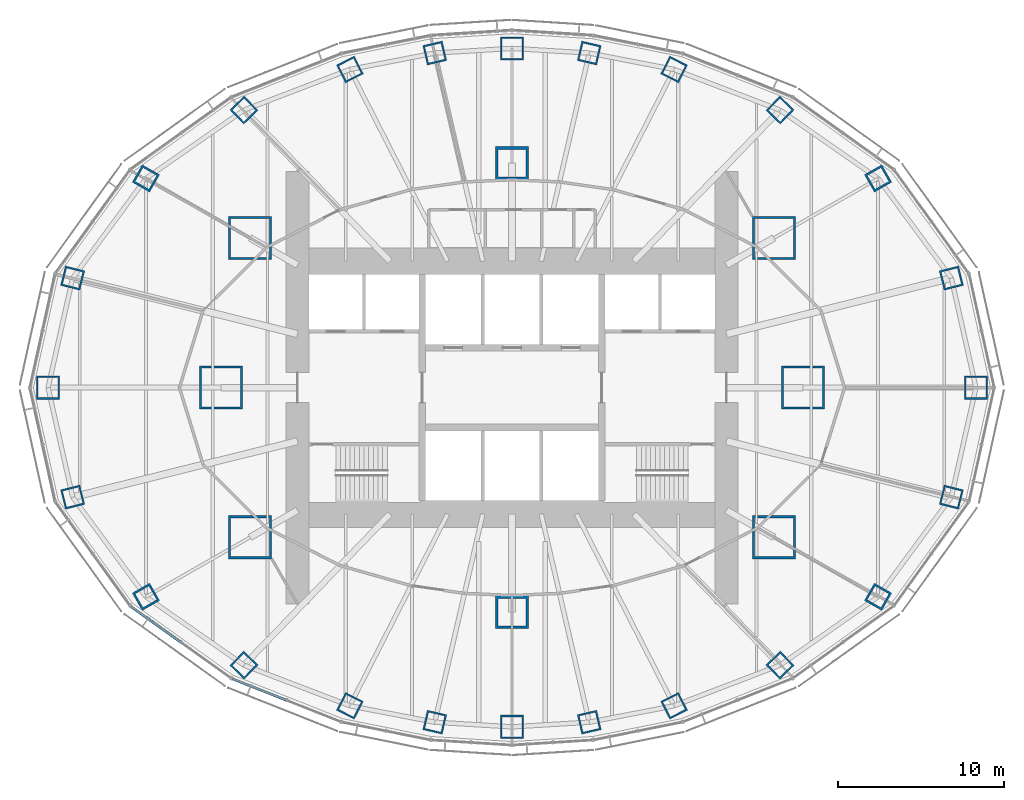
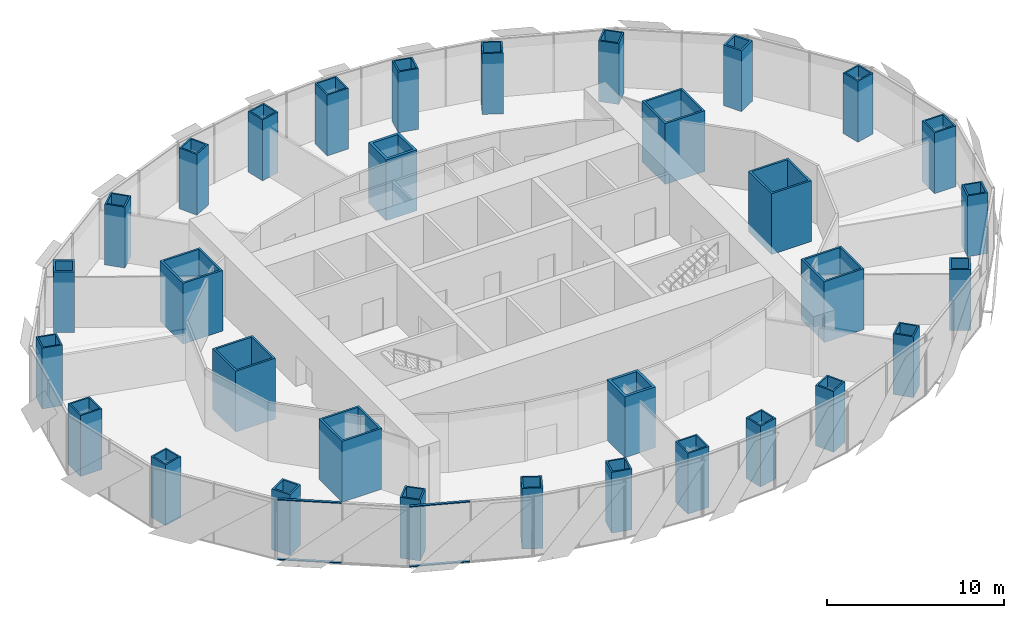
# One storey, part 1 of 18: 32 columns, 4 members, 2 elements without a shape of their own.
"""IFC4 building model written with IfcOpenShell, lengths in metres."""

from ifc_helpers import new_model, si_unit, direction, frame, origin, origin_2d, place, context, subcontext, project, spatial, rectangle, hollow_rectangle, extrude, material, material_profile, profile_set, type_object, element, aggregate, save


model = new_model("IFC4")

# Units and contexts
model_context = context("Model", 3, precision=1e-05, world=origin(), true_north=direction((0.0, 1.0)))
body_context = subcontext(model_context, "Body", "Model", "MODEL_VIEW")
ifc_project = project(units=[si_unit("LENGTHUNIT", "METRE"), si_unit("AREAUNIT", "SQUARE_METRE"), si_unit("VOLUMEUNIT", "CUBIC_METRE"), si_unit("PLANEANGLEUNIT", "RADIAN"), si_unit("MASSUNIT", "GRAM", prefix="KILO")], contexts=[model_context])

# Site, building, storey
site_placement = place(None, origin())
site = spatial("IfcSite", under=ifc_project, at=site_placement, CompositionType="ELEMENT")
building_placement = place(site_placement, origin())
building = spatial("IfcBuilding", under=site, at=building_placement, Name="Lantaw Convention Tower", CompositionType="ELEMENT")
storey_placement = place(building_placement, frame((0.0, 0.0, 134.199951171875)))
storey = spatial("IfcBuildingStorey", under=building, at=storey_placement, Name="L31", CompositionType="ELEMENT", Elevation=134.199951171875)

# Columns
ifc_material_1 = material(Name="Steel EN 10025-3 S460N", Category="steel")
ifc_material_profile_1 = material_profile(ifc_material_1, hollow_rectangle(XDim=2.0, YDim=2.0, WallThickness=0.169921875, at=origin_2d()), Name="BOX2000X170")
ifc_material_2 = material(Name="Concrete C60/75", Category="concrete")
ifc_material_profile_2 = material_profile(ifc_material_2, rectangle(XDim=1.659912109375, YDim=1.659912109375, at=origin_2d()), Name="Concrete fill of BOX2000X170")
ifc_profile_set_1 = profile_set([ifc_material_profile_1, ifc_material_profile_2], Name="Steel EN 10025-3 S460N")
column_type_1 = type_object("IfcColumnType", Name="Column MC BOX2000X170", PredefinedType="COLUMN", material=ifc_profile_set_1)
for number, where, z_axis, x_axis, name in (
    (1, (0.0, 13.5, 0.0), (0.0, 0.0, 1.0), (1.0, 0.0, 0.0), "Mega column M3"),
    (2, (0.0, -13.5, 0.0), (0.0, 0.0, 1.0), (1.0, 0.0, 0.0), "Mega column M7"),
):
    element("IfcColumn", number, at=place(storey_placement, frame(where, z_axis=z_axis, x_axis=x_axis)), inside=storey, type_object=column_type_1, Name=name, PredefinedType="COLUMN", context=body_context, shape_type="SweptSolid", body=[
        extrude(hollow_rectangle(XDim=2.0, YDim=2.0, WallThickness=0.169921875, at=origin_2d()), origin(), (0.0, 0.0, 1.0), 4.199951171875),
    ])
ifc_material_profile_3 = material_profile(ifc_material_1, hollow_rectangle(XDim=2.60009765625, YDim=2.60009765625, WallThickness=0.1298828125, at=origin_2d()), Name="BOX2600X130")
ifc_material_profile_4 = material_profile(ifc_material_2, rectangle(XDim=2.340087890625, YDim=2.340087890625, at=origin_2d()), Name="Concrete fill of BOX2600X130")
ifc_profile_set_2 = profile_set([ifc_material_profile_3, ifc_material_profile_4], Name="Steel EN 10025-3 S460N")
column_type_2 = type_object("IfcColumnType", Name="Column MC BOX2600X130", PredefinedType="COLUMN", material=ifc_profile_set_2)
for number, where, z_axis, x_axis, name in (
    (3, (17.5, 0.0, 0.0), (0.0, 0.0, 1.0), (1.0, 0.0, 0.0), "Mega column M1"),
    (4, (15.75, 9.0, 0.0), (0.0, 0.0, 1.0), (1.0, 0.0, 0.0), "Mega column M2"),
    (5, (-15.75, 9.0, 0.0), (0.0, 0.0, 1.0), (1.0, 0.0, 0.0), "Mega column M4"),
    (6, (-17.5, 0.0, 0.0), (0.0, 0.0, 1.0), (1.0, 0.0, 0.0), "Mega column M5"),
    (7, (-15.75, -9.0, 0.0), (0.0, 0.0, 1.0), (1.0, 0.0, 0.0), "Mega column M6"),
    (8, (15.75, -9.0, 0.0), (0.0, 0.0, 1.0), (1.0, 0.0, 0.0), "Mega column M8"),
):
    element("IfcColumn", number, at=place(storey_placement, frame(where, z_axis=z_axis, x_axis=x_axis)), inside=storey, type_object=column_type_2, Name=name, PredefinedType="COLUMN", context=body_context, shape_type="SweptSolid", body=[
        extrude(hollow_rectangle(XDim=2.60009765625, YDim=2.60009765625, WallThickness=0.1298828125, at=origin_2d()), origin(), (0.0, 0.0, 1.0), 4.199951171875),
    ])
ifc_material_profile_5 = material_profile(ifc_material_1, hollow_rectangle(XDim=1.199951171875, YDim=1.199951171875, WallThickness=0.10009765625, at=origin_2d()), Name="BOX1200X100")
ifc_material_profile_6 = material_profile(ifc_material_2, rectangle(XDim=1.0, YDim=1.0, at=origin_2d()), Name="Concrete fill of BOX1200X100")
ifc_profile_set_3 = profile_set([ifc_material_profile_5, ifc_material_profile_6], Name="Steel EN 10025-3 S460N")
column_type_3 = type_object("IfcColumnType", Name="Column PC BOX1200X100", PredefinedType="COLUMN", material=ifc_profile_set_3)
for number, where, z_axis, x_axis, name in (
    (9, (26.419921875, 6.587158203125, 0.0), (0.0, 0.0, 1.0), (0.970295726276, 0.2419218956, 0.0), "Perimeter column P2"),
    (10, (16.11767578125, 16.690185546875, 0.0), (0.0, 0.0, 1.0), (0.694658370459, 0.719339800339, 0.0), "Perimeter column P4"),
    (11, (9.74853515625, 19.1328125, 0.0), (0.0, 0.0, 1.0), (0.45399049974, 0.891006524188, 0.0), "Perimeter column P5"),
    (12, (4.64501953125, 20.1201171875, 0.0), (0.0, 0.0, 1.0), (0.224951054344, 0.974370064785, 0.0), "Perimeter column P6"),
    (13, (-4.64501953125, 20.1201171875, 0.0), (0.0, 0.0, 1.0), (0.974370064785, 0.224951054344, 0.0), "Perimeter column P8"),
    (14, (-9.74853515625, 19.1328125, 0.0), (0.0, 0.0, 1.0), (0.891006524188, 0.45399049974, 0.0), "Perimeter column P9"),
    (15, (-16.11767578125, 16.690185546875, 0.0), (0.0, 0.0, 1.0), (0.719339800339, 0.694658370459, 0.0), "Perimeter column P10"),
    (16, (-26.419921875, 6.587158203125, 0.0), (0.0, 0.0, 1.0), (0.2419218956, 0.970295726276, 0.0), "Perimeter column P12"),
    (17, (-26.419921875, -6.587158203125, 0.0), (0.0, 0.0, 1.0), (0.970295726276, 0.2419218956, 0.0), "Perimeter column P14"),
    (18, (-16.11767578125, -16.690185546875, 0.0), (0.0, 0.0, 1.0), (0.694658370459, 0.719339800339, 0.0), "Perimeter column P16"),
    (19, (-9.74853515625, -19.1328125, 0.0), (0.0, 0.0, 1.0), (0.45399049974, 0.891006524188, 0.0), "Perimeter column P17"),
    (20, (-4.64501953125, -20.1201171875, 0.0), (0.0, 0.0, 1.0), (0.224951054344, 0.974370064785, 0.0), "Perimeter column P18"),
    (21, (4.64501953125, -20.1201171875, 0.0), (0.0, 0.0, 1.0), (0.974370064785, 0.224951054344, 0.0), "Perimeter column P20"),
    (22, (9.74853515625, -19.1328125, 0.0), (0.0, 0.0, 1.0), (0.891006524188, 0.45399049974, 0.0), "Perimeter column P21"),
    (23, (16.11767578125, -16.690185546875, 0.0), (0.0, 0.0, 1.0), (0.719339800339, 0.694658370459, 0.0), "Perimeter column P22"),
    (24, (26.419921875, -6.587158203125, 0.0), (0.0, 0.0, 1.0), (0.2419218956, 0.970295726276, 0.0), "Perimeter column P24"),
):
    element("IfcColumn", number, at=place(storey_placement, frame(where, z_axis=z_axis, x_axis=x_axis)), inside=storey, type_object=column_type_3, Name=name, PredefinedType="COLUMN", context=body_context, shape_type="SweptSolid", body=[
        extrude(hollow_rectangle(XDim=1.199951171875, YDim=1.199951171875, WallThickness=0.10009765625, at=origin_2d()), origin(), (0.0, 0.0, 1.0), 4.199951171875),
    ])
ifc_material_profile_7 = material_profile(ifc_material_1, hollow_rectangle(XDim=1.199951171875, YDim=1.199951171875, WallThickness=0.1201171875, at=origin_2d()), Name="BOX1200X120")
ifc_material_profile_8 = material_profile(ifc_material_2, rectangle(XDim=0.9599609375, YDim=0.9599609375, at=origin_2d()), Name="Concrete fill of BOX1200X120")
ifc_profile_set_4 = profile_set([ifc_material_profile_7, ifc_material_profile_8], Name="Steel EN 10025-3 S460N")
column_type_4 = type_object("IfcColumnType", Name="Column PC BOX1200X120", PredefinedType="COLUMN", material=ifc_profile_set_4)
for number, where, z_axis, x_axis, name in (
    (25, (22.013916015625, 12.579345703125, 0.0), (0.0, 0.0, 1.0), (0.86824298017, 0.496139221777, 0.0), "Perimeter column P3"),
    (26, (-22.013916015625, 12.579345703125, 0.0), (0.0, 0.0, 1.0), (0.496139221777, 0.86824298017, 0.0), "Perimeter column P11"),
    (27, (-22.013916015625, -12.579345703125, 0.0), (0.0, 0.0, 1.0), (0.86824298017, 0.496139221777, 0.0), "Perimeter column P15"),
    (28, (22.013916015625, -12.579345703125, 0.0), (0.0, 0.0, 1.0), (0.496139221777, 0.86824298017, 0.0), "Perimeter column P23"),
):
    element("IfcColumn", number, at=place(storey_placement, frame(where, z_axis=z_axis, x_axis=x_axis)), inside=storey, type_object=column_type_4, Name=name, PredefinedType="COLUMN", context=body_context, shape_type="SweptSolid", body=[
        extrude(hollow_rectangle(XDim=1.199951171875, YDim=1.199951171875, WallThickness=0.1201171875, at=origin_2d()), origin(), (0.0, 0.0, 1.0), 4.199951171875),
    ])
ifc_material_profile_9 = material_profile(ifc_material_1, hollow_rectangle(XDim=1.39990234375, YDim=1.39990234375, WallThickness=0.10009765625, at=origin_2d()), Name="BOX1400X100")
ifc_material_profile_10 = material_profile(ifc_material_2, rectangle(XDim=1.199951171875, YDim=1.199951171875, at=origin_2d()), Name="Concrete fill of BOX1400X100")
ifc_profile_set_5 = profile_set([ifc_material_profile_9, ifc_material_profile_10], Name="Steel EN 10025-3 S460N")
column_type_5 = type_object("IfcColumnType", Name="Column PC BOX1400X100", PredefinedType="COLUMN", material=ifc_profile_set_5)
for number, where, z_axis, x_axis, name in (
    (29, (27.89990234375, 0.0, 0.0), (0.0, 0.0, 1.0), (1.0, 0.0, 0.0), "Perimeter column P1"),
    (30, (0.0, 20.39990234375, 0.0), (0.0, 0.0, 1.0), (1.0, 0.0, 0.0), "Perimeter column P7"),
    (31, (-27.89990234375, 0.0, 0.0), (0.0, 0.0, 1.0), (1.0, 0.0, 0.0), "Perimeter column P13"),
    (32, (0.0, -20.39990234375, 0.0), (0.0, 0.0, 1.0), (1.0, 0.0, 0.0), "Perimeter column P19"),
):
    element("IfcColumn", number, at=place(storey_placement, frame(where, z_axis=z_axis, x_axis=x_axis)), inside=storey, type_object=column_type_5, Name=name, PredefinedType="COLUMN", context=body_context, shape_type="SweptSolid", body=[
        extrude(hollow_rectangle(XDim=1.39990234375, YDim=1.39990234375, WallThickness=0.10009765625, at=origin_2d()), origin(), (0.0, 0.0, 1.0), 4.199951171875),
    ])

# Curtain wall, members
ifc_material_3 = material(Name="Aluminium framed curtain wall", Category="aluminium")
curtain_wall_type = type_object("IfcCurtainWallType", Name="Office curtain wall low rise, pale aluminium", PredefinedType="USERDEFINED", material=ifc_material_3)
curtain_wall_1_placement = place(storey_placement, origin())
curtain_wall_1 = element("IfcCurtainWall", 33, at=curtain_wall_1_placement, inside=storey, type_object=curtain_wall_type, Name="Office curtain wall low rise, pale aluminium L31", ObjectType="UNITISED CURTAIN WALL", PredefinedType="USERDEFINED")
ifc_material_4 = material(Name="Aluminium 6063-T6", Category="aluminium")
ifc_material_profile_11 = material_profile(ifc_material_4, rectangle(XDim=0.159912109375, YDim=0.06494140625, at=origin_2d()), Name="CW-O1 transom 65x160")
ifc_profile_set_6 = profile_set([ifc_material_profile_11], Name="Aluminium 6063-T6")
member_type = type_object("IfcMemberType", Name="CW-O1 transom 65x160", PredefinedType="USERDEFINED", material=ifc_profile_set_6)
member_1_placement = place(storey_placement, frame((-22.916259765625, -13.1630859375, -0.117431640625), z_axis=(0.813221785972, -0.581953887194, 0.0), x_axis=(0.581953887194, 0.813221785972, 0.0)))
member_1 = element("IfcMember", 34, at=member_1_placement, type_object=member_type, Name="CW-O1 transom 1.1", ObjectType="TRANSOM", PredefinedType="USERDEFINED", context=body_context, shape_type="SweptSolid", body=[
    extrude(rectangle(XDim=0.159912109375, YDim=0.06494140625, at=origin_2d()), origin(), (0.0, 0.0, 1.0), 3.645263671875),
])
member_2_placement = place(storey_placement, frame((-22.916259765625, -13.1630859375, 4.017578125), z_axis=(0.813221785972, -0.581953887194, 0.0), x_axis=(0.581953887194, 0.813221785972, 0.0)))
member_2 = element("IfcMember", 35, at=member_2_placement, type_object=member_type, Name="CW-O1 transom 1.2", ObjectType="TRANSOM", PredefinedType="USERDEFINED", context=body_context, shape_type="SweptSolid", body=[
    extrude(rectangle(XDim=0.159912109375, YDim=0.06494140625, at=origin_2d()), origin(), (0.0, 0.0, 1.0), 3.645263671875),
])
aggregate(curtain_wall_1, [member_1, member_2])

curtain_wall_2_placement = place(storey_placement, origin())
curtain_wall_2 = element("IfcCurtainWall", 36, at=curtain_wall_2_placement, inside=storey, type_object=curtain_wall_type, Name="Office curtain wall low rise, pale aluminium L31", ObjectType="UNITISED CURTAIN WALL", PredefinedType="USERDEFINED")
member_3_placement = place(storey_placement, frame((-16.8212890625, -17.505615234375, -0.117431640625), z_axis=(0.929564188507, -0.368660303592, 0.0), x_axis=(0.368660303592, 0.929564188507, 0.0)))
member_3 = element("IfcMember", 37, at=member_3_placement, type_object=member_type, Name="CW-O1 transom 1.1", ObjectType="TRANSOM", PredefinedType="USERDEFINED", context=body_context, shape_type="SweptSolid", body=[
    extrude(rectangle(XDim=0.159912109375, YDim=0.06494140625, at=origin_2d()), origin(), (0.0, 0.0, 1.0), 3.470703125),
])
member_4_placement = place(storey_placement, frame((-16.8212890625, -17.505615234375, 4.017578125), z_axis=(0.929564188507, -0.368660303592, 0.0), x_axis=(0.368660303592, 0.929564188507, 0.0)))
member_4 = element("IfcMember", 38, at=member_4_placement, type_object=member_type, Name="CW-O1 transom 1.2", ObjectType="TRANSOM", PredefinedType="USERDEFINED", context=body_context, shape_type="SweptSolid", body=[
    extrude(rectangle(XDim=0.159912109375, YDim=0.06494140625, at=origin_2d()), origin(), (0.0, 0.0, 1.0), 3.470703125),
])
aggregate(curtain_wall_2, [member_3, member_4])

save(model, "model.ifc")
